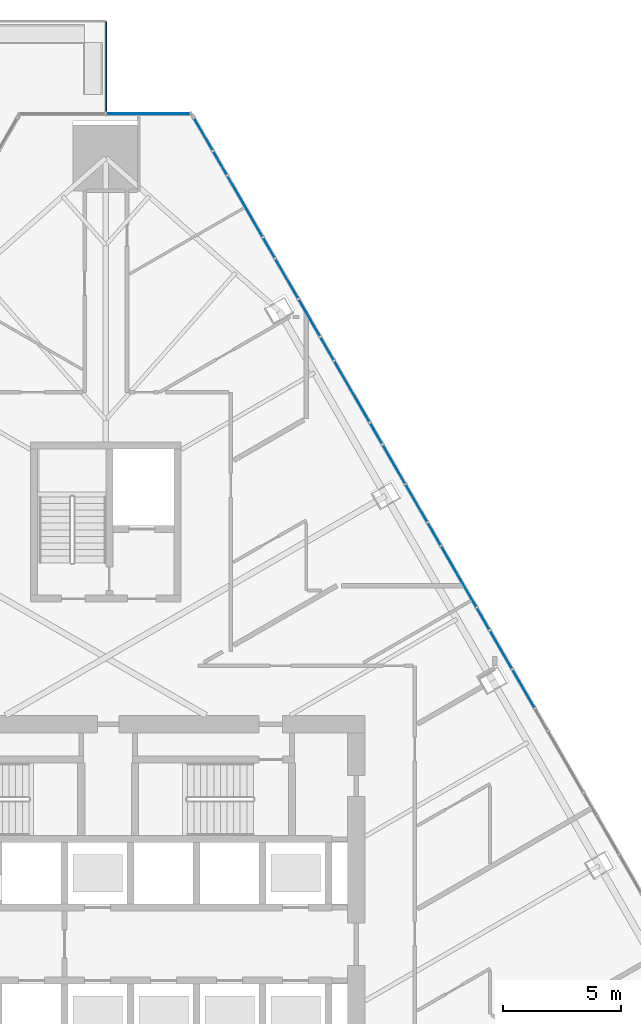
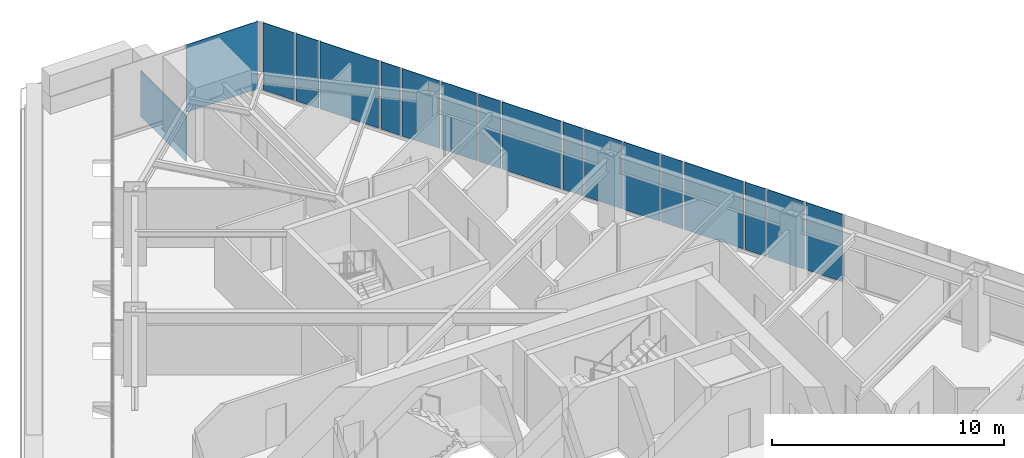
# One storey, part 24 of 35: 18 plates, 2 elements without a shape of their own.
"""IFC4 building model written with IfcOpenShell, lengths in metres."""

import ifcopenshell
import ifcopenshell.guid

model = None  # the IFC model being written
_history = None  # IfcOwnerHistory: only IFC2X3 demands one
_inside = {}  # id of a spatial element -> (the spatial element, [elements in it])
_under = {}  # id of a project, library or spatial element -> (it, [spatial elements below it])
_declared = {}  # id of a project -> (the project, [libraries it declares])
_typed = {}  # id of a type object -> (the type object, [elements of that type])
_made_of = {}  # id of a material, layer set ... -> (it, [elements and type objects made of it])


def new_model(schema):
    """Start an empty IFC model of exactly this schema.

    Asked for "IFC4X3", IfcOpenShell would pick the latest addendum, in which some entities
    have other attributes; the version numbers below select the first issue.
    IFC2X3 requires an IfcOwnerHistory on every rooted entity: one is made here for all.
    """
    global model, _history
    if schema == "IFC4X3":
        model = ifcopenshell.file(schema_version=(4, 3, 0, 0))
    else:
        model = ifcopenshell.file(schema=schema)
    _inside.clear()
    _under.clear()
    _declared.clear()
    _typed.clear()
    _made_of.clear()
    _history = None
    if model.schema == "IFC2X3":
        org = make("IfcOrganization", Name="unknown")
        user = make(
            "IfcPersonAndOrganization",
            ThePerson=make("IfcPerson", FamilyName="unknown"),
            TheOrganization=org,
        )
        app = make(
            "IfcApplication",
            ApplicationDeveloper=org,
            Version="unknown",
            ApplicationFullName="unknown",
            ApplicationIdentifier="unknown",
        )
        _history = make(
            "IfcOwnerHistory",
            OwningUser=user,
            OwningApplication=app,
            ChangeAction="ADDED",
            CreationDate=0,
        )
    return model


def make(cls, **values):
    """One entity of the class cls with the attributes given. An attribute that is None is left unset."""
    return model.create_entity(
        cls, **{name: value for name, value in values.items() if value is not None}
    )


def rooted(cls, **values):
    """An entity with a GlobalId (a new one), such as an element, a storey or a relation."""
    return make(cls, GlobalId=ifcopenshell.guid.new(), OwnerHistory=_history, **values)


def si_unit(unit_type, name, prefix=None):
    """IfcSIUnit, for example si_unit("LENGTHUNIT", "METRE", prefix="MILLI")."""
    return make("IfcSIUnit", UnitType=unit_type, Prefix=prefix, Name=name)


def assignment(units):
    """IfcUnitAssignment: the units of a project."""
    return None if units is None else make("IfcUnitAssignment", Units=units)


def point(xyz):
    """IfcCartesianPoint."""
    return None if xyz is None else make("IfcCartesianPoint", Coordinates=xyz)


def direction(xyz):
    """IfcDirection."""
    return None if xyz is None else make("IfcDirection", DirectionRatios=xyz)


def frame(location, z_axis=None, x_axis=None):
    """IfcAxis2Placement3D, a coordinate frame: its origin and axes. An axis left out is left unset."""
    return make(
        "IfcAxis2Placement3D",
        Location=point(location),
        Axis=direction(z_axis),
        RefDirection=direction(x_axis),
    )


def origin():
    """The frame at (0, 0, 0) with its axes left unset."""
    return frame((0.0, 0.0, 0.0))


def place(relative_to, where):
    """IfcLocalPlacement: puts the frame where relative to a parent placement (None: the world)."""
    return make(
        "IfcLocalPlacement", PlacementRelTo=relative_to, RelativePlacement=where
    )


def context(
    kind, dimensions, precision=None, world=None, true_north=None, identifier=None
):
    """IfcGeometricRepresentationContext, for example the 3D "Model" context."""
    return make(
        "IfcGeometricRepresentationContext",
        ContextIdentifier=identifier,
        ContextType=kind,
        CoordinateSpaceDimension=dimensions,
        Precision=precision,
        WorldCoordinateSystem=world,
        TrueNorth=true_north,
    )


def subcontext(parent, identifier, kind, view, scale=None):
    """IfcGeometricRepresentationSubContext, for example "Body" below "Model"."""
    return make(
        "IfcGeometricRepresentationSubContext",
        ContextIdentifier=identifier,
        ContextType=kind,
        ParentContext=parent,
        TargetScale=scale,
        TargetView=view,
    )


def project(units=None, contexts=None):
    """IfcProject with its units and contexts."""
    return rooted(
        "IfcProject",
        Name="project",
        RepresentationContexts=contexts,
        UnitsInContext=assignment(units),
    )


def spatial(cls, under=None, at=None, **own):
    """A site, building, storey or space (cls), placed at a placement, below another one or the project."""
    s = rooted(cls, ObjectPlacement=at, **own)
    if under is not None:
        _under.setdefault(under.id(), (under, []))[1].append(s)
    return s


def polyline(points):
    """IfcPolyline through the points."""
    return make("IfcPolyline", Points=[point(p) for p in points])


def outline(outer, holes=None, kind="AREA"):
    """IfcArbitraryClosedProfileDef: a profile drawn as a closed curve; with holes, ...WithVoids."""
    if holes is None:
        return make("IfcArbitraryClosedProfileDef", ProfileType=kind, OuterCurve=outer)
    return make(
        "IfcArbitraryProfileDefWithVoids",
        ProfileType=kind,
        OuterCurve=outer,
        InnerCurves=holes,
    )


def extrude(swept, where, along, depth):
    """IfcExtrudedAreaSolid: the profile swept, set in the frame where, extruded along a direction by depth."""
    return make(
        "IfcExtrudedAreaSolid",
        SweptArea=swept,
        Position=where,
        ExtrudedDirection=direction(along),
        Depth=depth,
    )


def shape(context_of_items, identifier, shape_type, items):
    """IfcShapeRepresentation: the items that make up one representation, for example the "Body"."""
    return make(
        "IfcShapeRepresentation",
        ContextOfItems=context_of_items,
        RepresentationIdentifier=identifier,
        RepresentationType=shape_type,
        Items=items,
    )


def material(Name=None, Category=None):
    """IfcMaterial."""
    return make("IfcMaterial", Name=Name, Category=Category)


def layer(
    of_material, thickness, ventilated=None, Name=None, Category=None, Priority=None
):
    """IfcMaterialLayer: one layer of a wall or slab, of a material (None: an air gap)."""
    return make(
        "IfcMaterialLayer",
        Material=of_material,
        LayerThickness=thickness,
        IsVentilated=ventilated,
        Name=Name,
        Category=Category,
        Priority=Priority,
    )


def layer_set(layers, Name=None):
    """IfcMaterialLayerSet."""
    return make("IfcMaterialLayerSet", MaterialLayers=layers, LayerSetName=Name)


def made_of(thing, what):
    """Note that an element or type object is made of a material, layer set ...; save() writes the relation."""
    if what is not None:
        _made_of.setdefault(what.id(), (what, []))[1].append(thing)
    return thing


def type_object(cls, material=None, **own):
    """A type object (cls), such as IfcWallType, which elements share."""
    return made_of(rooted(cls, **own), material)


def element(
    cls,
    number,
    at=None,
    inside=None,
    cuts=None,
    type_object=None,
    material=None,
    context=None,
    identifier="Body",
    shape_type=None,
    held_by="IfcProductDefinitionShape",
    body=None,
    shapes=None,
    **own,
):
    """One element of the class cls, such as IfcWall. Its Tag is "e" and its number.

    at: its placement. inside: the storey or other place that contains it. cuts: it is an
    opening in that element (IfcRelVoidsElement). A single representation is given by context,
    identifier, shape_type and body (its items); several are given by shapes. held_by: the class
    of the entity that holds the representations. save() writes the other relations.
    """
    e = rooted(cls, Tag="e%d" % number, ObjectPlacement=at, **own)
    if body is not None:
        shapes = [shape(context, identifier, shape_type, body)]
    if shapes is not None:
        e.Representation = make(held_by, Representations=shapes)
    if inside is not None:
        _inside.setdefault(inside.id(), (inside, []))[1].append(e)
    if cuts is not None:
        rooted(
            "IfcRelVoidsElement", RelatingBuildingElement=cuts, RelatedOpeningElement=e
        )
    if type_object is not None:
        _typed.setdefault(type_object.id(), (type_object, []))[1].append(e)
    return made_of(e, material)


def aggregate(whole, parts):
    """IfcRelAggregates: a whole, such as a stair, and the parts it consists of."""
    return rooted("IfcRelAggregates", RelatingObject=whole, RelatedObjects=parts)


def save(model, path):
    """Write the relations noted so far, then the file.

    IfcRelAggregates (storeys below a building ...), IfcRelContainedInSpatialStructure (elements
    in a storey), IfcRelDefinesByType, IfcRelAssociatesMaterial and IfcRelDeclares: one each for
    every whole, place, type object, material and project.
    """
    for whole, parts in _under.values():
        aggregate(whole, parts)
    for where, things in _inside.values():
        rooted(
            "IfcRelContainedInSpatialStructure",
            RelatedElements=things,
            RelatingStructure=where,
        )
    for kind, things in _typed.values():
        rooted("IfcRelDefinesByType", RelatedObjects=things, RelatingType=kind)
    for what, things in _made_of.values():
        rooted("IfcRelAssociatesMaterial", RelatedObjects=things, RelatingMaterial=what)
    for by, libraries in _declared.values():
        rooted("IfcRelDeclares", RelatingContext=by, RelatedDefinitions=libraries)
    model.write(path)


model = new_model("IFC4")

# Units and contexts
model_context = context("Model", 3, precision=1e-05, world=origin(), true_north=direction((0.0, 1.0)))
body_context = subcontext(model_context, "Body", "Model", "MODEL_VIEW")
ifc_project = project(units=[si_unit("LENGTHUNIT", "METRE"), si_unit("AREAUNIT", "SQUARE_METRE"), si_unit("VOLUMEUNIT", "CUBIC_METRE"), si_unit("PLANEANGLEUNIT", "RADIAN"), si_unit("MASSUNIT", "GRAM", prefix="KILO")], contexts=[model_context])

# Site, building, storey
site_placement = place(None, origin())
site = spatial("IfcSite", under=ifc_project, at=site_placement, CompositionType="ELEMENT")
building_placement = place(site_placement, origin())
building = spatial("IfcBuilding", under=site, at=building_placement, Name="Firuza Gate Tower and Library", CompositionType="ELEMENT")
storey_placement = place(building_placement, frame((0.0, 0.0, 159.699951171875)))
storey = spatial("IfcBuildingStorey", under=building, at=storey_placement, Name="L36", CompositionType="ELEMENT", Elevation=159.699951171875)

# Curtain wall, plate
ifc_material_1 = material(Name="Aluminium 6063-T6", Category="aluminium")
ifc_layer_1 = layer(ifc_material_1, 0.14990234375)
ifc_layer_set_1 = layer_set([ifc_layer_1], Name="Corner curtain wall, chamfers")
curtain_wall_type_1 = type_object("IfcCurtainWallType", Name="Corner curtain wall, chamfers", PredefinedType="NOTDEFINED", material=ifc_layer_set_1)
placement = place(storey_placement, origin())
curtain_wall_1 = element("IfcCurtainWall", 1, at=placement, inside=storey, type_object=curtain_wall_type_1, Name="CW4 L36 N corner", PredefinedType="NOTDEFINED")
ifc_material_2 = material(Name="Fritted glass", Category="glass")
ifc_layer_2 = layer(ifc_material_2, 0.030029296875)
ifc_layer_set_2 = layer_set([ifc_layer_2], Name="Fritted glass unit, corners")
plate_type_1 = type_object("IfcPlateType", Name="Fritted glass unit, corners", PredefinedType="CURTAIN_PANEL", material=ifc_layer_set_2)
plate_1_placement = place(storey_placement, frame((78.603271484375, 108.532470703125, 0.150146484375), z_axis=(0.0, 1.0, 0.0), x_axis=(-1.0, 0.0, 0.0)))
plate_1 = element("IfcPlate", 2, at=plate_1_placement, type_object=plate_type_1, Name="Glass unit", PredefinedType="CURTAIN_PANEL", context=body_context, shape_type="SweptSolid", body=[
    extrude(outline(polyline([(0.0, 0.0), (3.563232421875, 0.0), (3.563232421875, 3.5498046875), (0.0, 3.5498046875), (0.0, 0.0)])), origin(), (0.0, 0.0, -1.0), 0.030029296875),
])
aggregate(curtain_wall_1, [plate_1])

# Curtain wall, plates
ifc_material_3 = material(Name="Aluminium 6063-T6", Category="aluminium")
ifc_layer_3 = layer(ifc_material_3, 0.14990234375)
ifc_layer_set_3 = layer_set([ifc_layer_3], Name="Unitised curtain wall, hotel")
curtain_wall_type_2 = type_object("IfcCurtainWallType", Name="Unitised curtain wall, hotel", PredefinedType="NOTDEFINED", material=ifc_layer_set_3)
curtain_wall_2 = element("IfcCurtainWall", 3, at=placement, inside=storey, type_object=curtain_wall_type_2, Name="CW2 L36 E face", PredefinedType="NOTDEFINED")
ifc_material_4 = material(Name="Fritted glass", Category="glass")
ifc_layer_4 = layer(ifc_material_4, 0.030029296875)
ifc_layer_set_4 = layer_set([ifc_layer_4], Name="Fritted glass unit, hotel")
plate_type_2 = type_object("IfcPlateType", Name="Fritted glass unit, hotel", PredefinedType="CURTAIN_PANEL", material=ifc_layer_set_4)
plate_2_placement = place(storey_placement, frame((93.195068359375, 83.343017578125, 0.150146484375), z_axis=(0.865979206953, 0.500080006723, 0.0), x_axis=(-0.500080006723, 0.865979206953, 0.0)))
plate_2 = element("IfcPlate", 4, at=plate_2_placement, type_object=plate_type_2, Name="Glass unit", PredefinedType="CURTAIN_PANEL", context=body_context, shape_type="SweptSolid", body=[
    extrude(outline(polyline([(0.0, 0.0), (1.832226350396151, 0.0), (1.832226350396151, 3.5498046875), (0.0, 3.5498046875), (0.0, 0.0)])), origin(), (0.0, 0.0, -1.0), 0.030029296875),
])
plate_3_placement = place(storey_placement, frame((92.239013671875, 84.9990234375, 0.150146484375), z_axis=(0.866012523866, 0.50002230801, 0.0), x_axis=(-0.50002230801, 0.866012523866, 0.0)))
plate_3 = element("IfcPlate", 5, at=plate_3_placement, type_object=plate_type_2, Name="Glass unit", PredefinedType="CURTAIN_PANEL", context=body_context, shape_type="SweptSolid", body=[
    extrude(outline(polyline([(0.0, 0.0), (1.832437775168214, 0.0), (1.832437775168214, 3.5498046875), (0.0, 3.5498046875), (0.0, 0.0)])), origin(), (0.0, 0.0, -1.0), 0.030029296875),
])
plate_4_placement = place(storey_placement, frame((88.64501953125, 91.223876953125, 0.150146484375), z_axis=(0.86599817046, 0.500047166535, 0.0), x_axis=(-0.500047166535, 0.86599817046, 0.0)))
plate_4 = element("IfcPlate", 6, at=plate_4_placement, type_object=plate_type_2, Name="Glass unit", PredefinedType="CURTAIN_PANEL", context=body_context, shape_type="SweptSolid", body=[
    extrude(outline(polyline([(0.0, 0.0), (1.8006113928002991, 0.0), (1.8006113928002991, 3.5498046875), (0.0, 3.5498046875), (0.0, 0.0)])), origin(), (0.0, 0.0, -1.0), 0.030029296875),
])
plate_5_placement = place(storey_placement, frame((87.70458984375, 92.8525390625, 0.150146484375), z_axis=(0.866050356912, 0.499956777425, 0.0), x_axis=(-0.499956777425, 0.866050356912, 0.0)))
plate_5 = element("IfcPlate", 7, at=plate_5_placement, type_object=plate_type_2, Name="Glass unit", PredefinedType="CURTAIN_PANEL", context=body_context, shape_type="SweptSolid", body=[
    extrude(outline(polyline([(0.0, 0.0), (1.8639306590163827, 0.0), (1.8639306590163827, 3.5498046875), (0.0, 3.5498046875), (0.0, 0.0)])), origin(), (0.0, 0.0, -1.0), 0.030029296875),
])
plate_6_placement = place(storey_placement, frame((84.094970703125, 99.104736328125, 0.150146484375), z_axis=(0.866017810474, 0.500013151769, 0.0), x_axis=(-0.500013151769, 0.866017810474, 0.0)))
plate_6 = element("IfcPlate", 8, at=plate_6_placement, type_object=plate_type_2, Name="Glass unit", PredefinedType="CURTAIN_PANEL", context=body_context, shape_type="SweptSolid", body=[
    extrude(outline(polyline([(0.0, 0.0), (1.7689964378864484, 0.0), (1.7689964378864484, 3.5498046875), (0.0, 3.5498046875), (0.0, 0.0)])), origin(), (0.0, 0.0, -1.0), 0.030029296875),
])
plate_7_placement = place(storey_placement, frame((83.17041015625, 100.7060546875, 0.150146484375), z_axis=(0.866031159827, 0.499990030109, 0.0), x_axis=(-0.499990030109, 0.866031159827, 0.0)))
plate_7 = element("IfcPlate", 9, at=plate_7_placement, type_object=plate_type_2, Name="Glass unit", PredefinedType="CURTAIN_PANEL", context=body_context, shape_type="SweptSolid", body=[
    extrude(outline(polyline([(0.0, 0.0), (1.8955456092678369, 0.0), (1.8955456092678369, 3.549804687500001), (0.0, 3.549804687500001), (0.0, 0.0)])), origin(), (0.0, 0.0, -1.0), 0.030029296875),
])
plate_8_placement = place(storey_placement, frame((79.545166015625, 106.9853515625, 0.150146484375), z_axis=(0.866046081916, 0.499964182716, 0.0), x_axis=(-0.499964182716, 0.866046081916, 0.0)))
plate_8 = element("IfcPlate", 10, at=plate_8_placement, type_object=plate_type_2, Name="Glass unit", PredefinedType="CURTAIN_PANEL", context=body_context, shape_type="SweptSolid", body=[
    extrude(outline(polyline([(0.0, 0.0), (1.544544236510137, 0.0), (1.544544236510137, 3.5498046875), (0.0, 3.5498046875), (0.0, 0.0)])), origin(), (0.0, 0.0, -1.0), 0.030029296875),
])
ifc_material_5 = material(Name="Glazed ceramic tile")
ifc_layer_5 = layer(ifc_material_5, 0.030029296875)
ifc_layer_set_5 = layer_set([ifc_layer_5], Name="Opaque ceramic panel, hotel")
plate_type_3 = type_object("IfcPlateType", Name="Opaque ceramic panel, hotel", PredefinedType="CURTAIN_PANEL", material=ifc_layer_set_5)
plate_9_placement = place(storey_placement, frame((91.28271484375, 86.6552734375, 0.150146484375), z_axis=(0.866047486323, 0.49996174997, 0.0), x_axis=(-0.49996174997, 0.866047486323, 0.0)))
plate_9 = element("IfcPlate", 11, at=plate_9_placement, type_object=plate_type_3, Name="Opaque ceramic panel", PredefinedType="CURTAIN_PANEL", context=body_context, shape_type="SweptSolid", body=[
    extrude(outline(polyline([(0.0, 0.0), (1.0303522595088923, 0.0), (1.0303522595088923, 3.5498046875), (0.0, 3.5498046875), (0.0, 0.0)])), origin(), (0.0, 0.0, -1.0), 0.030029296875),
])
plate_10_placement = place(storey_placement, frame((90.7275390625, 87.616943359375, 0.150146484375), z_axis=(0.866023947468, 0.500002522405, 0.0), x_axis=(-0.500002522405, 0.866023947468, 0.0)))
plate_10 = element("IfcPlate", 12, at=plate_10_placement, type_object=plate_type_3, Name="Opaque ceramic panel", PredefinedType="CURTAIN_PANEL", context=body_context, shape_type="SweptSolid", body=[
    extrude(outline(polyline([(0.0, 0.0), (2.942856247596896, 0.0), (2.942856247596896, 3.5498046875), (0.0, 3.5498046875), (0.0, 0.0)])), origin(), (0.0, 0.0, -1.0), 0.030029296875),
])
plate_11_placement = place(storey_placement, frame((89.216064453125, 90.234619140625, 0.150146484375), z_axis=(0.866070766281, 0.499921421619, 0.0), x_axis=(-0.499921421619, 0.866070766281, 0.0)))
plate_11 = element("IfcPlate", 13, at=plate_11_placement, type_object=plate_type_3, Name="Opaque ceramic panel", PredefinedType="CURTAIN_PANEL", context=body_context, shape_type="SweptSolid", body=[
    extrude(outline(polyline([(0.0, 0.0), (1.062178647306609, 0.0), (1.062178647306609, 3.5498046875), (0.0, 3.5498046875), (0.0, 0.0)])), origin(), (0.0, 0.0, -1.0), 0.030029296875),
])
plate_12_placement = place(storey_placement, frame((86.732666015625, 94.535888671875, 0.150146484375), z_axis=(0.866144895462, 0.499792977207, 0.0), x_axis=(-0.499792977207, 0.866144895462, 0.0)))
plate_12 = element("IfcPlate", 14, at=plate_12_placement, type_object=plate_type_3, Name="Opaque ceramic panel", PredefinedType="CURTAIN_PANEL", context=body_context, shape_type="SweptSolid", body=[
    extrude(outline(polyline([(0.0, 0.0), (0.9989487665783685, 0.0), (0.9989487665783685, 3.5498046875), (0.0, 3.5498046875), (0.0, 0.0)])), origin(), (0.0, 0.0, -1.0), 0.030029296875),
])
plate_13_placement = place(storey_placement, frame((86.193359375, 95.470458984375, 0.150146484375), z_axis=(0.866003204916, 0.500038447598, 0.0), x_axis=(-0.500038447598, 0.866003204916, 0.0)))
plate_13 = element("IfcPlate", 15, at=plate_13_placement, type_object=plate_type_3, Name="Opaque ceramic panel", PredefinedType="CURTAIN_PANEL", context=body_context, shape_type="SweptSolid", body=[
    extrude(outline(polyline([(0.0, 0.0), (2.9426448185010545, 0.0), (2.9426448185010545, 3.5498046875), (0.0, 3.5498046875), (0.0, 0.0)])), origin(), (0.0, 0.0, -1.0), 0.030029296875),
])
plate_14_placement = place(storey_placement, frame((84.681884765625, 98.088134765625, 0.150146484375), z_axis=(0.866036909293, 0.499980071345, 0.0), x_axis=(-0.499980071345, 0.866036909293, 0.0)))
plate_14 = element("IfcPlate", 16, at=plate_14_placement, type_object=plate_type_3, Name="Opaque ceramic panel", PredefinedType="CURTAIN_PANEL", context=body_context, shape_type="SweptSolid", body=[
    extrude(outline(polyline([(0.0, 0.0), (1.0937935956713407, 0.0), (1.0937935956713407, 3.5498046875), (0.0, 3.5498046875), (0.0, 0.0)])), origin(), (0.0, 0.0, -1.0), 0.030029296875),
])
plate_15_placement = place(storey_placement, frame((82.182861328125, 102.416748046875, 0.150146484375), z_axis=(0.865967067452, 0.500101027882, 0.0), x_axis=(-0.500101027882, 0.865967067452, 0.0)))
plate_15 = element("IfcPlate", 17, at=plate_15_placement, type_object=plate_type_3, Name="Opaque ceramic panel", PredefinedType="CURTAIN_PANEL", context=body_context, shape_type="SweptSolid", body=[
    extrude(outline(polyline([(0.0, 0.0), (0.9675779328020727, 0.0), (0.9675779328020727, 3.5498046875), (0.0, 3.5498046875), (0.0, 0.0)])), origin(), (0.0, 0.0, -1.0), 0.030029296875),
])
plate_16_placement = place(storey_placement, frame((81.6591796875, 103.32373046875, 0.150146484375), z_axis=(0.866023947468, 0.500002522405, 0.0), x_axis=(-0.500002522405, 0.866023947468, 0.0)))
plate_16 = element("IfcPlate", 18, at=plate_16_placement, type_object=plate_type_3, Name="Opaque ceramic panel", PredefinedType="CURTAIN_PANEL", context=body_context, shape_type="SweptSolid", body=[
    extrude(outline(polyline([(0.0, 0.0), (2.942856247596896, 0.0), (2.942856247596896, 3.5498046875), (0.0, 3.5498046875), (0.0, 0.0)])), origin(), (0.0, 0.0, -1.0), 0.030029296875),
])
plate_17_placement = place(storey_placement, frame((80.147705078125, 105.941650390625, 0.150146484375), z_axis=(0.866004950882, 0.500035423793, 0.0), x_axis=(-0.500035423793, 0.866004950882, 0.0)))
plate_17 = element("IfcPlate", 19, at=plate_17_placement, type_object=plate_type_3, Name="Opaque ceramic panel", PredefinedType="CURTAIN_PANEL", context=body_context, shape_type="SweptSolid", body=[
    extrude(outline(polyline([(0.0, 0.0), (1.1254085487704724, 0.0), (1.1254085487704724, 3.5498046875), (0.0, 3.5498046875), (0.0, 0.0)])), origin(), (0.0, 0.0, -1.0), 0.030029296875),
])
aggregate(curtain_wall_2, [plate_2, plate_3, plate_9, plate_10, plate_11, plate_4, plate_5, plate_12, plate_13, plate_14, plate_6, plate_7, plate_15, plate_16, plate_17, plate_8])

# Plate
ifc_material_6 = material(Name="Aluminium 6063-T6", Category="aluminium")
ifc_layer_6 = layer(ifc_material_6, 0.050048828125)
ifc_layer_set_6 = layer_set([ifc_layer_6], Name="Tray fascia panel 50")
plate_type_4 = type_object("IfcPlateType", Name="Tray fascia panel 50", PredefinedType="SHEET", material=ifc_layer_set_6)
plate_18_placement = place(storey_placement, frame((75.050048828125, 108.471923828125, -2.39990234375), z_axis=(1.0, 0.0, 0.0), x_axis=(0.0, 1.0, 0.0)))
element("IfcPlate", 20, at=plate_18_placement, inside=storey, type_object=plate_type_4, Name="Tray fascia L36 10", PredefinedType="SHEET", context=body_context, shape_type="SweptSolid", body=[
    extrude(outline(polyline([(0.0, 0.0), (3.940185546875, 0.0), (3.940185546875, 2.39990234375), (0.0, 2.39990234375), (0.0, 0.0)])), origin(), (0.0, 0.0, -1.0), 0.050048828125),
])

save(model, "model.ifc")
